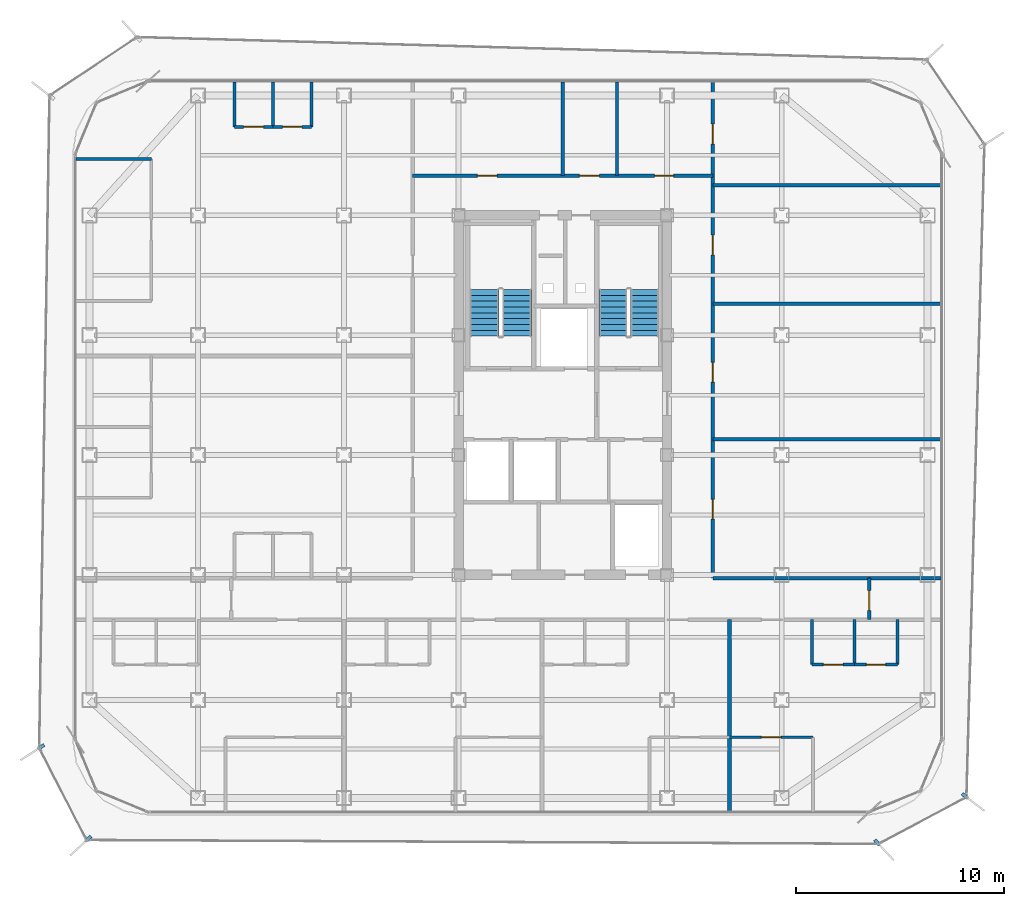
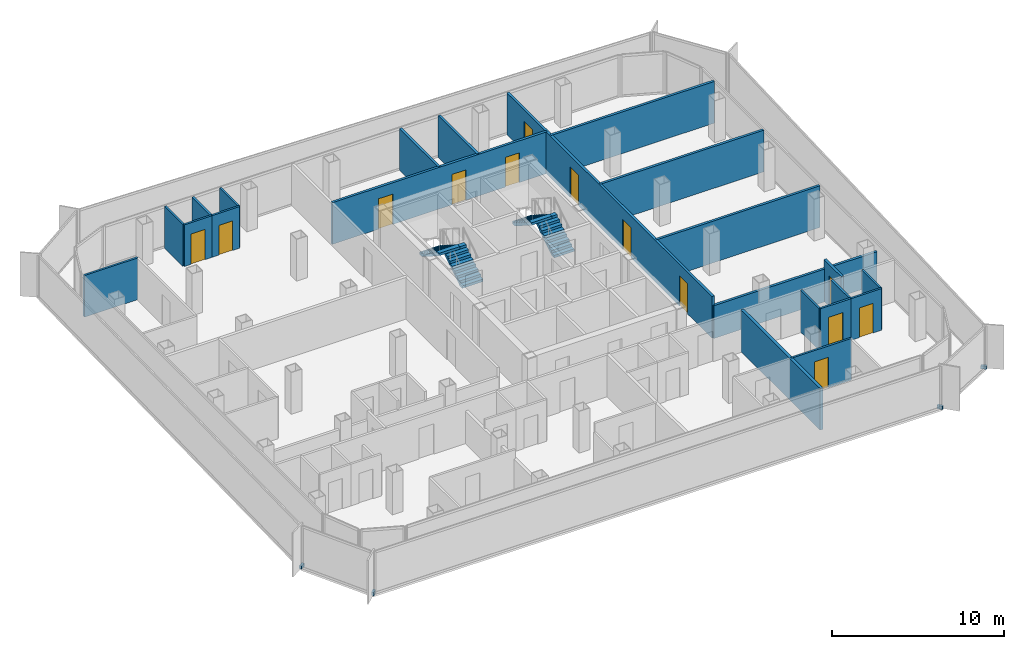
# One storey, part 12 of 16: 23 walls, 13 doors, 4 discrete accessories, 4 stair flights, 13 openings, 2 elements without a shape of their own.
"""IFC4 building model written with IfcOpenShell, lengths in metres."""

from ifc_helpers import new_model, si_unit, direction, frame, frame_2d, origin, origin_2d, place, context, subcontext, project, spatial, polyline, rectangle, outline, extrude, source, transform, mapped, material, layer, layer_set, type_object, element, fill, aggregate, save


model = new_model("IFC4")

# Units and contexts
model_context = context("Model", 3, precision=1e-05, world=origin(), true_north=direction((0.0, 1.0)))
body_context = subcontext(model_context, "Body", "Model", "MODEL_VIEW")
ifc_project = project(units=[si_unit("LENGTHUNIT", "METRE"), si_unit("AREAUNIT", "SQUARE_METRE"), si_unit("VOLUMEUNIT", "CUBIC_METRE"), si_unit("PLANEANGLEUNIT", "RADIAN"), si_unit("MASSUNIT", "GRAM", prefix="KILO")], contexts=[model_context])

# Site, building, storey
site_placement = place(None, origin())
site = spatial("IfcSite", under=ifc_project, at=site_placement, CompositionType="ELEMENT")
building_placement = place(site_placement, origin())
building = spatial("IfcBuilding", under=site, at=building_placement, Name="Kolveth Station Tower", CompositionType="ELEMENT")
storey_placement = place(building_placement, frame((0.0, 0.0, 209.199951171875)))
storey = spatial("IfcBuildingStorey", under=building, at=storey_placement, Name="L59", CompositionType="ELEMENT", Elevation=209.199951171875)

# Wall, opening, door
ifc_material_1 = material(Name="Moisture-resistant gypsum partition")
ifc_layer_1 = layer(ifc_material_1, 0.135009765625)
ifc_layer_set_1 = layer_set([ifc_layer_1], Name="Moisture-resistant gypsum partition")
wall_type_1 = type_object("IfcWallType", Name="Wall_IW-135", PredefinedType="PARTITIONING", material=ifc_layer_set_1)
wall_1_placement = place(storey_placement, frame((35.449951171875, 7.199951171875, 0.0), z_axis=(0.0, 0.0, 1.0), x_axis=(1.0, 0.0, 0.0)))
wall_1 = element("IfcWall", 1, at=wall_1_placement, inside=storey, type_object=wall_type_1, Name="L59 Partition Wall WL-L59-A4-IBHK", PredefinedType="PARTITIONING", context=body_context, shape_type="SweptSolid", body=[
    extrude(rectangle(XDim=2.050048828125, YDim=0.135009765625, at=frame_2d((1.02490234375, 0.0))), origin(), (0.0, 0.0, 1.0), 2.949951171875),
])
opening_1_placement = place(wall_1_placement, frame((0.544921875, 0.0, 0.0)))
opening_1 = element("IfcOpeningElement", 2, at=opening_1_placement, cuts=wall_1, Name="Opening ID1", PredefinedType="OPENING", context=body_context, shape_type="SweptSolid", body=[
    extrude(rectangle(XDim=0.949951171875, YDim=2.14990234375, at=frame_2d((0.47509765625, 1.074951171875))), frame((0.0, 0.077392578125, 0.0), z_axis=(0.0, -1.0, 0.0), x_axis=(1.0, 0.0, 0.0)), (0.0, 0.0, 1.0), 0.155029296875),
])
ifc_material_2 = material(Name="Acoustic hardwood leaf and aluminium frame", Category="wood")
door_type_1 = type_object("IfcDoorType", Name="Door_ID1", OperationType="NOTDEFINED", PredefinedType="DOOR", material=ifc_material_2)
door_1_placement = place(opening_1_placement, origin())
door_1 = element("IfcDoor", 3, at=door_1_placement, inside=storey, type_object=door_type_1, Name="Flat L59-A4 Kitchen Door", OperationType="SINGLE_SWING_RIGHT", OverallHeight=2.14990234375, OverallWidth=0.949951171875, PredefinedType="DOOR", context=body_context, shape_type="SweptSolid", body=[
    extrude(rectangle(XDim=0.949951171875, YDim=2.14990234375, at=frame_2d((0.47509765625, 1.074951171875))), frame((0.0, 0.02490234375, 0.0), z_axis=(0.0, -1.0, 0.0), x_axis=(1.0, 0.0, 0.0)), (0.0, 0.0, 1.0), 0.050048828125),
])
fill(opening_1, door_1)

wall_2_placement = place(storey_placement, frame((37.5, 7.199951171875, 0.0), z_axis=(0.0, 0.0, 1.0), x_axis=(1.0, 0.0, 0.0)))
wall_2 = element("IfcWall", 4, at=wall_2_placement, inside=storey, type_object=wall_type_1, Name="L59 Partition Wall WL-L59-A4-IBHB", PredefinedType="PARTITIONING", context=body_context, shape_type="SweptSolid", body=[
    extrude(rectangle(XDim=2.050048828125, YDim=0.135009765625, at=frame_2d((1.02490234375, 0.0))), origin(), (0.0, 0.0, 1.0), 2.949951171875),
])
opening_2_placement = place(wall_2_placement, frame((0.56494140625, 0.0, 0.0)))
opening_2 = element("IfcOpeningElement", 5, at=opening_2_placement, cuts=wall_2, Name="Opening ID2", PredefinedType="OPENING", context=body_context, shape_type="SweptSolid", body=[
    extrude(rectangle(XDim=0.919921875, YDim=2.10009765625, at=frame_2d((0.4599609375, 1.050048828125))), frame((0.0, 0.077392578125, 0.0), z_axis=(0.0, -1.0, 0.0), x_axis=(1.0, 0.0, 0.0)), (0.0, 0.0, 1.0), 0.155029296875),
])
ifc_material_3 = material(Name="Moisture-resistant hardwood leaf", Category="wood")
door_type_2 = type_object("IfcDoorType", Name="Door_ID2", OperationType="NOTDEFINED", PredefinedType="DOOR", material=ifc_material_3)
door_2_placement = place(opening_2_placement, origin())
door_2 = element("IfcDoor", 6, at=door_2_placement, inside=storey, type_object=door_type_2, Name="Flat L59-A4 Bathroom Door", OperationType="SINGLE_SWING_LEFT", OverallHeight=2.10009765625, OverallWidth=0.919921875, PredefinedType="DOOR", context=body_context, shape_type="SweptSolid", body=[
    extrude(rectangle(XDim=0.919921875, YDim=2.10009765625, at=frame_2d((0.4599609375, 1.050048828125))), frame((0.0, 0.02490234375, 0.0), z_axis=(0.0, -1.0, 0.0), x_axis=(1.0, 0.0, 0.0)), (0.0, 0.0, 1.0), 0.050048828125),
])
fill(opening_2, door_2)

# Walls
for number, where, z_axis, x_axis, name in (
    (7, (35.449951171875, 7.199951171875, 0.0), (0.0, 0.0, 1.0), (0.0, 1.0, 0.0), "L59 Partition Wall WL-L59-A4-IBV0"),
    (8, (37.5, 7.199951171875, 0.0), (0.0, 0.0, 1.0), (0.0, 1.0, 0.0), "L59 Partition Wall WL-L59-A4-IBV1"),
    (9, (39.550048828125, 7.199951171875, 0.0), (0.0, 0.0, 1.0), (0.0, 1.0, 0.0), "L59 Partition Wall WL-L59-A4-IBV2"),
):
    element("IfcWall", number, at=place(storey_placement, frame(where, z_axis=z_axis, x_axis=x_axis)), inside=storey, type_object=wall_type_1, Name=name, PredefinedType="PARTITIONING", context=body_context, shape_type="SweptSolid", body=[
        extrude(rectangle(XDim=2.150146484375, YDim=0.135009765625, at=frame_2d((1.0751953125, 0.0))), origin(), (0.0, 0.0, 1.0), 2.949951171875),
    ])

# Wall, opening, door
wall_3_placement = place(storey_placement, frame((31.5, 3.7099609375, 0.0), z_axis=(0.0, 0.0, 1.0), x_axis=(1.0, 0.0, 0.0)))
wall_3 = element("IfcWall", 10, at=wall_3_placement, inside=storey, type_object=wall_type_1, Name="L59 Partition Wall WL-L59-A4-BDH1", PredefinedType="PARTITIONING", context=body_context, shape_type="SweptSolid", body=[
    extrude(rectangle(XDim=3.9990234375, YDim=0.135009765625, at=frame_2d((1.99951171875, 0.0))), origin(), (0.0, 0.0, 1.0), 2.949951171875),
])
opening_3_placement = place(wall_3_placement, frame((1.52001953125, 0.0, 0.0)))
opening_3 = element("IfcOpeningElement", 11, at=opening_3_placement, cuts=wall_3, Name="Opening ID1", PredefinedType="OPENING", context=body_context, shape_type="SweptSolid", body=[
    extrude(rectangle(XDim=0.949951171875, YDim=2.14990234375, at=frame_2d((0.47509765625, 1.074951171875))), frame((0.0, 0.077392578125, 0.0), z_axis=(0.0, -1.0, 0.0), x_axis=(1.0, 0.0, 0.0)), (0.0, 0.0, 1.0), 0.155029296875),
])
door_3_placement = place(opening_3_placement, frame((0.949951171875, 0.0, 0.0), z_axis=(0.0, 0.0, 1.0), x_axis=(-1.0, 0.0, 0.0)))
door_3 = element("IfcDoor", 12, at=door_3_placement, inside=storey, type_object=door_type_1, Name="Flat L59-A4 Bedroom 1 Door", OperationType="SINGLE_SWING_RIGHT", OverallHeight=2.14990234375, OverallWidth=0.949951171875, PredefinedType="DOOR", context=body_context, shape_type="SweptSolid", body=[
    extrude(rectangle(XDim=0.949951171875, YDim=2.14990234375, at=frame_2d((0.47509765625, 1.074951171875))), frame((0.0, 0.02490234375, 0.0), z_axis=(0.0, -1.0, 0.0), x_axis=(1.0, 0.0, 0.0)), (0.0, 0.0, 1.0), 0.050048828125),
])
fill(opening_3, door_3)

wall_4_placement = place(storey_placement, frame((7.75, 32.989990234375, 0.0), z_axis=(0.0, 0.0, 1.0), x_axis=(1.0, 0.0, 0.0)))
wall_4 = element("IfcWall", 13, at=wall_4_placement, inside=storey, type_object=wall_type_1, Name="L59 Partition Wall WL-L59-W2-IBHK", PredefinedType="PARTITIONING", context=body_context, shape_type="SweptSolid", body=[
    extrude(rectangle(XDim=1.85009765625, YDim=0.135009765625, at=frame_2d((0.925048828125, 0.0))), origin(), (0.0, 0.0, 1.0), 2.949951171875),
])
opening_4_placement = place(wall_4_placement, frame((0.445068359375, 0.0, 0.0)))
opening_4 = element("IfcOpeningElement", 14, at=opening_4_placement, cuts=wall_4, Name="Opening ID1", PredefinedType="OPENING", context=body_context, shape_type="SweptSolid", body=[
    extrude(rectangle(XDim=0.949951171875, YDim=2.14990234375, at=frame_2d((0.47509765625, 1.074951171875))), frame((0.0, 0.077392578125, 0.0), z_axis=(0.0, -1.0, 0.0), x_axis=(1.0, 0.0, 0.0)), (0.0, 0.0, 1.0), 0.155029296875),
])
door_4_placement = place(opening_4_placement, frame((0.949951171875, 0.0, 0.0), z_axis=(0.0, 0.0, 1.0), x_axis=(-1.0, 0.0, 0.0)))
door_4 = element("IfcDoor", 15, at=door_4_placement, inside=storey, type_object=door_type_1, Name="Penthouse Flat L59-W2 Kitchen Door", OperationType="SINGLE_SWING_LEFT", OverallHeight=2.14990234375, OverallWidth=0.949951171875, PredefinedType="DOOR", context=body_context, shape_type="SweptSolid", body=[
    extrude(rectangle(XDim=0.949951171875, YDim=2.14990234375, at=frame_2d((0.47509765625, 1.074951171875))), frame((0.0, 0.02490234375, 0.0), z_axis=(0.0, -1.0, 0.0), x_axis=(1.0, 0.0, 0.0)), (0.0, 0.0, 1.0), 0.050048828125),
])
fill(opening_4, door_4)

wall_5_placement = place(storey_placement, frame((9.60009765625, 32.989990234375, 0.0), z_axis=(0.0, 0.0, 1.0), x_axis=(1.0, 0.0, 0.0)))
wall_5 = element("IfcWall", 16, at=wall_5_placement, inside=storey, type_object=wall_type_1, Name="L59 Partition Wall WL-L59-W2-IBHB", PredefinedType="PARTITIONING", context=body_context, shape_type="SweptSolid", body=[
    extrude(rectangle(XDim=1.849853515625, YDim=0.135009765625, at=frame_2d((0.9248046875, 0.0))), origin(), (0.0, 0.0, 1.0), 2.949951171875),
])
opening_5_placement = place(wall_5_placement, frame((0.465087890625, 0.0, 0.0)))
opening_5 = element("IfcOpeningElement", 17, at=opening_5_placement, cuts=wall_5, Name="Opening ID2", PredefinedType="OPENING", context=body_context, shape_type="SweptSolid", body=[
    extrude(rectangle(XDim=0.919921875, YDim=2.10009765625, at=frame_2d((0.4599609375, 1.050048828125))), frame((0.0, 0.077392578125, 0.0), z_axis=(0.0, -1.0, 0.0), x_axis=(1.0, 0.0, 0.0)), (0.0, 0.0, 1.0), 0.155029296875),
])
door_5_placement = place(opening_5_placement, frame((0.919921875, 0.0, 0.0), z_axis=(0.0, 0.0, 1.0), x_axis=(-1.0, 0.0, 0.0)))
door_5 = element("IfcDoor", 18, at=door_5_placement, inside=storey, type_object=door_type_2, Name="Penthouse Flat L59-W2 Bathroom Door", OperationType="SINGLE_SWING_RIGHT", OverallHeight=2.10009765625, OverallWidth=0.919921875, PredefinedType="DOOR", context=body_context, shape_type="SweptSolid", body=[
    extrude(rectangle(XDim=0.919921875, YDim=2.10009765625, at=frame_2d((0.4599609375, 1.050048828125))), frame((0.0, 0.02490234375, 0.0), z_axis=(0.0, -1.0, 0.0), x_axis=(1.0, 0.0, 0.0)), (0.0, 0.0, 1.0), 0.050048828125),
])
fill(opening_5, door_5)

# Walls
for number, where, z_axis, x_axis, name in (
    (19, (7.75, 32.989990234375, 0.0), (0.0, 0.0, 1.0), (0.0, 1.0, 0.0), "L59 Partition Wall WL-L59-W2-IBV0"),
    (20, (9.60009765625, 32.989990234375, 0.0), (0.0, 0.0, 1.0), (0.0, 1.0, 0.0), "L59 Partition Wall WL-L59-W2-IBV1"),
    (21, (11.449951171875, 32.989990234375, 0.0), (0.0, 0.0, 1.0), (0.0, 1.0, 0.0), "L59 Partition Wall WL-L59-W2-IBV2"),
):
    element("IfcWall", number, at=place(storey_placement, frame(where, z_axis=z_axis, x_axis=x_axis)), inside=storey, type_object=wall_type_1, Name=name, PredefinedType="PARTITIONING", context=body_context, shape_type="SweptSolid", body=[
        extrude(rectangle(XDim=2.14990234375, YDim=0.135009765625, at=frame_2d((1.074951171875, 0.0))), origin(), (0.0, 0.0, 1.0), 2.949951171875),
    ])
wall_6_placement = place(storey_placement, frame((0.159912109375, 31.449951171875, 0.0), z_axis=(0.0, 0.0, 1.0), x_axis=(1.0, 0.0, 0.0)))
element("IfcWall", 22, at=wall_6_placement, inside=storey, type_object=wall_type_1, Name="L59 Partition Wall WL-L59-W2-BDHE", PredefinedType="PARTITIONING", context=body_context, shape_type="SweptSolid", body=[
    extrude(rectangle(XDim=3.60009765625, YDim=0.135009765625, at=frame_2d((1.800048828125, 0.0))), origin(), (0.0, 0.0, 1.0), 2.949951171875),
])
ifc_material_4 = material(Name="Acoustic double-stud gypsum partition")
ifc_layer_2 = layer(ifc_material_4, 0.1650390625)
ifc_layer_set_2 = layer_set([ifc_layer_2], Name="Acoustic double-stud gypsum partition")
wall_type_2 = type_object("IfcWallType", Name="Wall_IW-165", PredefinedType="PARTITIONING", material=ifc_layer_set_2)
wall_7_placement = place(storey_placement, frame((30.699951171875, 11.35009765625, 0.0), z_axis=(0.0, 0.0, 1.0), x_axis=(1.0, 0.0, 0.0)))
element("IfcWall", 23, at=wall_7_placement, inside=storey, type_object=wall_type_2, Name="L59 Partition Wall WL-L59-RSET", PredefinedType="PARTITIONING", context=body_context, shape_type="SweptSolid", body=[
    extrude(rectangle(XDim=7.5, YDim=0.1650390625, at=frame_2d((3.75, 0.0))), origin(), (0.0, 0.0, 1.0), 2.322998046875),
])

# Wall, opening, door
wall_8_placement = place(storey_placement, frame((38.199951171875, 9.35009765625, 0.0), z_axis=(0.0, 0.0, 1.0), x_axis=(0.0, 1.0, 0.0)))
wall_8 = element("IfcWall", 24, at=wall_8_placement, inside=storey, type_object=wall_type_2, Name="L59 Partition Wall WL-L59-RSEE", PredefinedType="PARTITIONING", context=body_context, shape_type="SweptSolid", body=[
    extrude(rectangle(XDim=2.0, YDim=0.1650390625, at=frame_2d((1.0, 0.0))), origin(), (0.0, 0.0, 1.0), 2.949951171875),
])
opening_6_placement = place(wall_8_placement, frame((0.449951171875, 0.0, 0.0)))
opening_6 = element("IfcOpeningElement", 25, at=opening_6_placement, cuts=wall_8, Name="Opening ID1", PredefinedType="OPENING", context=body_context, shape_type="SweptSolid", body=[
    extrude(rectangle(XDim=0.949951171875, YDim=2.14990234375, at=frame_2d((0.47509765625, 1.074951171875))), frame((0.0, 0.092529296875, 0.0), z_axis=(0.0, -1.0, 0.0), x_axis=(1.0, 0.0, 0.0)), (0.0, 0.0, 1.0), 0.18505859375),
])
door_6_placement = place(opening_6_placement, origin())
door_6 = element("IfcDoor", 26, at=door_6_placement, inside=storey, type_object=door_type_1, Name="L59 Hobby Study Door", OperationType="SINGLE_SWING_LEFT", OverallHeight=2.14990234375, OverallWidth=0.949951171875, PredefinedType="DOOR", context=body_context, shape_type="SweptSolid", body=[
    extrude(rectangle(XDim=0.949951171875, YDim=2.14990234375, at=frame_2d((0.47509765625, 1.074951171875))), frame((0.0, 0.02490234375, 0.0), z_axis=(0.0, -1.0, 0.0), x_axis=(1.0, 0.0, 0.0)), (0.0, 0.0, 1.0), 0.050048828125),
])
fill(opening_6, door_6)

# Wall, openings, doors
wall_9_placement = place(storey_placement, frame((16.300048828125, 30.64990234375, 0.0), z_axis=(0.0, 0.0, 1.0), x_axis=(1.0, 0.0, 0.0)))
wall_9 = element("IfcWall", 27, at=wall_9_placement, inside=storey, type_object=wall_type_2, Name="L59 Partition Wall WL-L59-RN", PredefinedType="PARTITIONING", context=body_context, shape_type="SweptSolid", body=[
    extrude(rectangle(XDim=14.39990234375, YDim=0.1650390625, at=frame_2d((7.199951171875, 0.0))), origin(), (0.0, 0.0, 1.0), 2.949951171875),
])
opening_7_placement = place(wall_9_placement, frame((3.10009765625, 0.0, 0.0)))
opening_7 = element("IfcOpeningElement", 28, at=opening_7_placement, cuts=wall_9, Name="Opening ID1", PredefinedType="OPENING", context=body_context, shape_type="SweptSolid", body=[
    extrude(rectangle(XDim=0.949951171875, YDim=2.14990234375, at=frame_2d((0.47509765625, 1.074951171875))), frame((0.0, 0.092529296875, 0.0), z_axis=(0.0, -1.0, 0.0), x_axis=(1.0, 0.0, 0.0)), (0.0, 0.0, 1.0), 0.18505859375),
])
opening_8_placement = place(wall_9_placement, frame((8.0, 0.0, 0.0)))
opening_8 = element("IfcOpeningElement", 29, at=opening_8_placement, cuts=wall_9, Name="Opening ID1", PredefinedType="OPENING", context=body_context, shape_type="SweptSolid", body=[
    extrude(rectangle(XDim=0.949951171875, YDim=2.14990234375, at=frame_2d((0.47509765625, 1.074951171875))), frame((0.0, 0.092529296875, 0.0), z_axis=(0.0, -1.0, 0.0), x_axis=(1.0, 0.0, 0.0)), (0.0, 0.0, 1.0), 0.18505859375),
])
opening_9_placement = place(wall_9_placement, frame((11.60009765625, 0.0, 0.0)))
opening_9 = element("IfcOpeningElement", 30, at=opening_9_placement, cuts=wall_9, Name="Opening ID2", PredefinedType="OPENING", context=body_context, shape_type="SweptSolid", body=[
    extrude(rectangle(XDim=0.919921875, YDim=2.10009765625, at=frame_2d((0.4599609375, 1.050048828125))), frame((0.0, 0.092529296875, 0.0), z_axis=(0.0, -1.0, 0.0), x_axis=(1.0, 0.0, 0.0)), (0.0, 0.0, 1.0), 0.18505859375),
])
door_7_placement = place(opening_7_placement, origin())
door_7 = element("IfcDoor", 31, at=door_7_placement, inside=storey, type_object=door_type_1, Name="L59 Residents' Sky Lounge Door", OperationType="SINGLE_SWING_LEFT", OverallHeight=2.14990234375, OverallWidth=0.949951171875, PredefinedType="DOOR", context=body_context, shape_type="SweptSolid", body=[
    extrude(rectangle(XDim=0.949951171875, YDim=2.14990234375, at=frame_2d((0.47509765625, 1.074951171875))), frame((0.0, 0.02490234375, 0.0), z_axis=(0.0, -1.0, 0.0), x_axis=(1.0, 0.0, 0.0)), (0.0, 0.0, 1.0), 0.050048828125),
])
fill(opening_7, door_7)
door_8_placement = place(opening_8_placement, origin())
door_8 = element("IfcDoor", 32, at=door_8_placement, inside=storey, type_object=door_type_1, Name="L59 Residents' Committee Room Door", OperationType="SINGLE_SWING_RIGHT", OverallHeight=2.14990234375, OverallWidth=0.949951171875, PredefinedType="DOOR", context=body_context, shape_type="SweptSolid", body=[
    extrude(rectangle(XDim=0.949951171875, YDim=2.14990234375, at=frame_2d((0.47509765625, 1.074951171875))), frame((0.0, 0.02490234375, 0.0), z_axis=(0.0, -1.0, 0.0), x_axis=(1.0, 0.0, 0.0)), (0.0, 0.0, 1.0), 0.050048828125),
])
fill(opening_8, door_8)
door_9_placement = place(opening_9_placement, origin())
door_9 = element("IfcDoor", 33, at=door_9_placement, inside=storey, type_object=door_type_2, Name="L59 Accessible Residents' WC Door", OperationType="SINGLE_SWING_LEFT", OverallHeight=2.10009765625, OverallWidth=0.919921875, PredefinedType="DOOR", context=body_context, shape_type="SweptSolid", body=[
    extrude(rectangle(XDim=0.919921875, YDim=2.10009765625, at=frame_2d((0.4599609375, 1.050048828125))), frame((0.0, 0.02490234375, 0.0), z_axis=(0.0, -1.0, 0.0), x_axis=(1.0, 0.0, 0.0)), (0.0, 0.0, 1.0), 0.050048828125),
])
fill(opening_9, door_9)

wall_10_placement = place(storey_placement, frame((30.699951171875, 11.35009765625, 0.0), z_axis=(0.0, 0.0, 1.0), x_axis=(0.0, 1.0, 0.0)))
wall_10 = element("IfcWall", 34, at=wall_10_placement, inside=storey, type_object=wall_type_2, Name="L59 Partition Wall WL-L59-RE", PredefinedType="PARTITIONING", context=body_context, shape_type="SweptSolid", body=[
    extrude(rectangle(XDim=23.789794921875, YDim=0.1650390625, at=frame_2d((11.89501953125, 0.0))), origin(), (0.0, 0.0, 1.0), 2.949951171875),
])
opening_10_placement = place(wall_10_placement, frame((2.824951171875, 0.0, 0.0)))
opening_10 = element("IfcOpeningElement", 35, at=opening_10_placement, cuts=wall_10, Name="Opening ID1", PredefinedType="OPENING", context=body_context, shape_type="SweptSolid", body=[
    extrude(rectangle(XDim=0.949951171875, YDim=2.14990234375, at=frame_2d((0.47509765625, 1.074951171875))), frame((0.0, 0.092529296875, 0.0), z_axis=(0.0, -1.0, 0.0), x_axis=(1.0, 0.0, 0.0)), (0.0, 0.0, 1.0), 0.18505859375),
])
opening_11_placement = place(wall_10_placement, frame((9.39990234375, 0.0, 0.0)))
opening_11 = element("IfcOpeningElement", 36, at=opening_11_placement, cuts=wall_10, Name="Opening ID1", PredefinedType="OPENING", context=body_context, shape_type="SweptSolid", body=[
    extrude(rectangle(XDim=0.949951171875, YDim=2.14990234375, at=frame_2d((0.47509765625, 1.074951171875))), frame((0.0, 0.092529296875, 0.0), z_axis=(0.0, -1.0, 0.0), x_axis=(1.0, 0.0, 0.0)), (0.0, 0.0, 1.0), 0.18505859375),
])
opening_12_placement = place(wall_10_placement, frame((15.5, 0.0, 0.0)))
opening_12 = element("IfcOpeningElement", 37, at=opening_12_placement, cuts=wall_10, Name="Opening ID1", PredefinedType="OPENING", context=body_context, shape_type="SweptSolid", body=[
    extrude(rectangle(XDim=0.949951171875, YDim=2.14990234375, at=frame_2d((0.47509765625, 1.074951171875))), frame((0.0, 0.092529296875, 0.0), z_axis=(0.0, -1.0, 0.0), x_axis=(1.0, 0.0, 0.0)), (0.0, 0.0, 1.0), 0.18505859375),
])
opening_13_placement = place(wall_10_placement, frame((20.820068359375, 0.0, 0.0)))
opening_13 = element("IfcOpeningElement", 38, at=opening_13_placement, cuts=wall_10, Name="Opening ID1", PredefinedType="OPENING", context=body_context, shape_type="SweptSolid", body=[
    extrude(rectangle(XDim=0.949951171875, YDim=2.14990234375, at=frame_2d((0.47509765625, 1.074951171875))), frame((0.0, 0.092529296875, 0.0), z_axis=(0.0, -1.0, 0.0), x_axis=(1.0, 0.0, 0.0)), (0.0, 0.0, 1.0), 0.18505859375),
])
door_10_placement = place(opening_10_placement, origin())
door_10 = element("IfcDoor", 39, at=door_10_placement, inside=storey, type_object=door_type_1, Name="L59 Quiet Reading Study E1 Door", OperationType="SINGLE_SWING_LEFT", OverallHeight=2.14990234375, OverallWidth=0.949951171875, PredefinedType="DOOR", context=body_context, shape_type="SweptSolid", body=[
    extrude(rectangle(XDim=0.949951171875, YDim=2.14990234375, at=frame_2d((0.47509765625, 1.074951171875))), frame((0.0, 0.02490234375, 0.0), z_axis=(0.0, -1.0, 0.0), x_axis=(1.0, 0.0, 0.0)), (0.0, 0.0, 1.0), 0.050048828125),
])
fill(opening_10, door_10)
door_11_placement = place(opening_11_placement, origin())
door_11 = element("IfcDoor", 40, at=door_11_placement, inside=storey, type_object=door_type_1, Name="L59 Quiet Reading Study E2 Door", OperationType="SINGLE_SWING_RIGHT", OverallHeight=2.14990234375, OverallWidth=0.949951171875, PredefinedType="DOOR", context=body_context, shape_type="SweptSolid", body=[
    extrude(rectangle(XDim=0.949951171875, YDim=2.14990234375, at=frame_2d((0.47509765625, 1.074951171875))), frame((0.0, 0.02490234375, 0.0), z_axis=(0.0, -1.0, 0.0), x_axis=(1.0, 0.0, 0.0)), (0.0, 0.0, 1.0), 0.050048828125),
])
fill(opening_11, door_11)
door_12_placement = place(opening_12_placement, origin())
door_12 = element("IfcDoor", 41, at=door_12_placement, inside=storey, type_object=door_type_1, Name="L59 Residents' Conference Room Door", OperationType="SINGLE_SWING_LEFT", OverallHeight=2.14990234375, OverallWidth=0.949951171875, PredefinedType="DOOR", context=body_context, shape_type="SweptSolid", body=[
    extrude(rectangle(XDim=0.949951171875, YDim=2.14990234375, at=frame_2d((0.47509765625, 1.074951171875))), frame((0.0, 0.02490234375, 0.0), z_axis=(0.0, -1.0, 0.0), x_axis=(1.0, 0.0, 0.0)), (0.0, 0.0, 1.0), 0.050048828125),
])
fill(opening_12, door_12)
door_13_placement = place(opening_13_placement, origin())
door_13 = element("IfcDoor", 42, at=door_13_placement, inside=storey, type_object=door_type_1, Name="L59 Tea Pantry Door", OperationType="SINGLE_SWING_LEFT", OverallHeight=2.14990234375, OverallWidth=0.949951171875, PredefinedType="DOOR", context=body_context, shape_type="SweptSolid", body=[
    extrude(rectangle(XDim=0.949951171875, YDim=2.14990234375, at=frame_2d((0.47509765625, 1.074951171875))), frame((0.0, 0.02490234375, 0.0), z_axis=(0.0, -1.0, 0.0), x_axis=(1.0, 0.0, 0.0)), (0.0, 0.0, 1.0), 0.050048828125),
])
fill(opening_13, door_13)

# Walls
wall_11_placement = place(storey_placement, frame((38.199951171875, 11.35009765625, 0.0), z_axis=(0.0, 0.0, 1.0), x_axis=(1.0, 0.0, 0.0)))
element("IfcWall", 43, at=wall_11_placement, inside=storey, type_object=wall_type_2, Name="L59 Partition Wall WL-L59-ESTN", PredefinedType="PARTITIONING", context=body_context, shape_type="SweptSolid", body=[
    extrude(rectangle(XDim=3.43994140625, YDim=0.1650390625, at=frame_2d((1.719970703125, 0.0))), origin(), (0.0, 0.0, 1.0), 2.322998046875),
])
for number, where, z_axis, x_axis, name in (
    (44, (30.699951171875, 18.0, 0.0), (0.0, 0.0, 1.0), (1.0, 0.0, 0.0), "L59 Partition Wall WL-L59-REA-P1"),
    (45, (30.699951171875, 24.5, 0.0), (0.0, 0.0, 1.0), (1.0, 0.0, 0.0), "L59 Partition Wall WL-L59-REA-P2"),
    (46, (30.699951171875, 30.199951171875, 0.0), (0.0, 0.0, 1.0), (1.0, 0.0, 0.0), "L59 Partition Wall WL-L59-REA-P3"),
):
    element("IfcWall", number, at=place(storey_placement, frame(where, z_axis=z_axis, x_axis=x_axis)), inside=storey, type_object=wall_type_2, Name=name, PredefinedType="PARTITIONING", context=body_context, shape_type="SweptSolid", body=[
        extrude(rectangle(XDim=10.93994140625, YDim=0.1650390625, at=frame_2d((5.469970703125, 0.0))), origin(), (0.0, 0.0, 1.0), 2.949951171875),
    ])
for number, where, z_axis, x_axis, name in (
    (47, (23.5, 30.64990234375, 0.0), (0.0, 0.0, 1.0), (0.0, 1.0, 0.0), "L59 Partition Wall WL-L59-RN-P1"),
    (48, (26.10009765625, 30.64990234375, 0.0), (0.0, 0.0, 1.0), (0.0, 1.0, 0.0), "L59 Partition Wall WL-L59-RN-P2"),
):
    element("IfcWall", number, at=place(storey_placement, frame(where, z_axis=z_axis, x_axis=x_axis)), inside=storey, type_object=wall_type_2, Name=name, PredefinedType="PARTITIONING", context=body_context, shape_type="SweptSolid", body=[
        extrude(rectangle(XDim=4.489990234375, YDim=0.1650390625, at=frame_2d((2.2451171875, 0.0))), origin(), (0.0, 0.0, 1.0), 2.949951171875),
    ])
ifc_material_5 = material(Name="Acoustic fire-rated gypsum blockwork", Category="masonry")
ifc_layer_3 = layer(ifc_material_5, 0.199951171875)
ifc_layer_set_3 = layer_set([ifc_layer_3], Name="Acoustic fire-rated gypsum blockwork")
wall_type_3 = type_object("IfcWallType", Name="Wall_IW-200", PredefinedType="PARTITIONING", material=ifc_layer_set_3)
wall_12_placement = place(storey_placement, frame((31.5, 0.159912109375, 0.0), z_axis=(0.0, 0.0, 1.0), x_axis=(0.0, 1.0, 0.0)))
element("IfcWall", 49, at=wall_12_placement, inside=storey, type_object=wall_type_3, Name="L59 Partition Wall WL-L59-RSU-3", PredefinedType="PARTITIONING", context=body_context, shape_type="SweptSolid", body=[
    extrude(rectangle(XDim=9.190185546875, YDim=0.199951171875, at=frame_2d((4.59521484375, 0.0))), origin(), (0.0, 0.0, 1.0), 2.949951171875),
])

# Stair, stair flights
ifc_material_6 = material(Name="Concrete C40/50", Category="concrete")
stair_type_1 = type_object("IfcStairType", Name="Stair_ST1", PredefinedType="HALF_TURN_STAIR", material=ifc_material_6)
stair_1_placement = place(storey_placement, origin())
stair_1 = element("IfcStair", 50, at=stair_1_placement, inside=storey, type_object=stair_type_1, Name="L59 Tower Exit Stair ST1", PredefinedType="HALF_TURN_STAIR")
ifc_layer_4 = layer(ifc_material_6, 0.179931640625)
ifc_layer_set_4 = layer_set([ifc_layer_4], Name="Concrete C40/50")
stair_flight_type_1 = type_object("IfcStairFlightType", Name="Flight_ST1", PredefinedType="STRAIGHT", material=ifc_layer_set_4)
stair_flight_1_placement = place(storey_placement, frame((21.300048828125, 22.949951171875, 0.0), z_axis=(0.0, 0.0, 1.0), x_axis=(0.0, 1.0, 0.0)))
stair_flight_1 = element("IfcStairFlight", 51, at=stair_flight_1_placement, type_object=stair_flight_type_1, Name="ST1 flight 1", NumberOfRisers=9, NumberOfTreads=8, PredefinedType="STRAIGHT", RiserHeight=0.177777778, TreadLength=0.28, context=body_context, shape_type="SweptSolid", body=[
    extrude(outline(polyline([(0.0, 0.0), (0.0, 0.177734375), (0.280029296875, 0.177734375), (0.280029296875, 0.35546875), (0.56005859375, 0.35546875), (0.56005859375, 0.533447265625), (0.840087890625, 0.533447265625), (0.840087890625, 0.711181640625), (1.1201171875, 0.711181640625), (1.1201171875, 0.888916015625), (1.39990234375, 0.888916015625), (1.39990234375, 1.066650390625), (1.679931640625, 1.066650390625), (1.679931640625, 1.244384765625), (1.9599609375, 1.244384765625), (1.9599609375, 1.422119140625), (2.239990234375, 1.422119140625), (2.239990234375, 1.60009765625), (2.239990234375, 1.24462890625), (0.27978515625, 0.0), (0.0, 0.0)])), frame((0.0, 0.699951171875, 0.0), z_axis=(0.0, -1.0, 0.0), x_axis=(1.0, 0.0, 0.0)), (0.0, 0.0, 1.0), 1.39990234375),
])
stair_flight_2_placement = place(storey_placement, frame((19.739990234375, 25.18994140625, 1.60009765625), z_axis=(0.0, 0.0, 1.0), x_axis=(0.0, -1.0, 0.0)))
stair_flight_2 = element("IfcStairFlight", 52, at=stair_flight_2_placement, type_object=stair_flight_type_1, Name="ST1 flight 2", NumberOfRisers=9, NumberOfTreads=8, PredefinedType="STRAIGHT", RiserHeight=0.177777778, TreadLength=0.28, context=body_context, shape_type="SweptSolid", body=[
    extrude(outline(polyline([(0.0, 0.0), (0.0, 0.177734375), (0.280029296875, 0.177734375), (0.280029296875, 0.35546875), (0.56005859375, 0.35546875), (0.56005859375, 0.533447265625), (0.840087890625, 0.533447265625), (0.840087890625, 0.711181640625), (1.1201171875, 0.711181640625), (1.1201171875, 0.888916015625), (1.39990234375, 0.888916015625), (1.39990234375, 1.066650390625), (1.679931640625, 1.066650390625), (1.679931640625, 1.244384765625), (1.9599609375, 1.244384765625), (1.9599609375, 1.422119140625), (2.239990234375, 1.422119140625), (2.239990234375, 1.60009765625), (2.239990234375, 1.24462890625), (0.27978515625, 0.0), (0.0, 0.0)])), frame((0.0, 0.699951171875, 0.0), z_axis=(0.0, -1.0, 0.0), x_axis=(1.0, 0.0, 0.0)), (0.0, 0.0, 1.0), 1.39990234375),
])
aggregate(stair_1, [stair_flight_1, stair_flight_2])

stair_type_2 = type_object("IfcStairType", Name="Stair_ST2", PredefinedType="HALF_TURN_STAIR", material=ifc_material_6)
stair_2_placement = place(storey_placement, origin())
stair_2 = element("IfcStair", 53, at=stair_2_placement, inside=storey, type_object=stair_type_2, Name="L59 Tower Exit Stair ST2", PredefinedType="HALF_TURN_STAIR")
ifc_layer_5 = layer(ifc_material_6, 0.179931640625)
ifc_layer_set_5 = layer_set([ifc_layer_5], Name="Concrete C40/50")
stair_flight_type_2 = type_object("IfcStairFlightType", Name="Flight_ST2", PredefinedType="STRAIGHT", material=ifc_layer_set_5)
stair_flight_3_placement = place(storey_placement, frame((27.425048828125, 22.949951171875, 0.0), z_axis=(0.0, 0.0, 1.0), x_axis=(0.0, 1.0, 0.0)))
stair_flight_3 = element("IfcStairFlight", 54, at=stair_flight_3_placement, type_object=stair_flight_type_2, Name="ST2 flight 1", NumberOfRisers=9, NumberOfTreads=8, PredefinedType="STRAIGHT", RiserHeight=0.177777778, TreadLength=0.28, context=body_context, shape_type="SweptSolid", body=[
    extrude(outline(polyline([(0.0, 0.0), (0.0, 0.177734375), (0.280029296875, 0.177734375), (0.280029296875, 0.35546875), (0.56005859375, 0.35546875), (0.56005859375, 0.533447265625), (0.840087890625, 0.533447265625), (0.840087890625, 0.711181640625), (1.1201171875, 0.711181640625), (1.1201171875, 0.888916015625), (1.39990234375, 0.888916015625), (1.39990234375, 1.066650390625), (1.679931640625, 1.066650390625), (1.679931640625, 1.244384765625), (1.9599609375, 1.244384765625), (1.9599609375, 1.422119140625), (2.239990234375, 1.422119140625), (2.239990234375, 1.60009765625), (2.239990234375, 1.24462890625), (0.27978515625, 0.0), (0.0, 0.0)])), frame((0.0, 0.675048828125, 0.0), z_axis=(0.0, -1.0, 0.0), x_axis=(1.0, 0.0, 0.0)), (0.0, 0.0, 1.0), 1.35009765625),
])
stair_flight_4_placement = place(storey_placement, frame((25.9150390625, 25.18994140625, 1.60009765625), z_axis=(0.0, 0.0, 1.0), x_axis=(0.0, -1.0, 0.0)))
stair_flight_4 = element("IfcStairFlight", 55, at=stair_flight_4_placement, type_object=stair_flight_type_2, Name="ST2 flight 2", NumberOfRisers=9, NumberOfTreads=8, PredefinedType="STRAIGHT", RiserHeight=0.177777778, TreadLength=0.28, context=body_context, shape_type="SweptSolid", body=[
    extrude(outline(polyline([(0.0, 0.0), (0.0, 0.177734375), (0.280029296875, 0.177734375), (0.280029296875, 0.35546875), (0.56005859375, 0.35546875), (0.56005859375, 0.533447265625), (0.840087890625, 0.533447265625), (0.840087890625, 0.711181640625), (1.1201171875, 0.711181640625), (1.1201171875, 0.888916015625), (1.39990234375, 0.888916015625), (1.39990234375, 1.066650390625), (1.679931640625, 1.066650390625), (1.679931640625, 1.244384765625), (1.9599609375, 1.244384765625), (1.9599609375, 1.422119140625), (2.239990234375, 1.422119140625), (2.239990234375, 1.60009765625), (2.239990234375, 1.24462890625), (0.27978515625, 0.0), (0.0, 0.0)])), frame((0.0, 0.675048828125, 0.0), z_axis=(0.0, -1.0, 0.0), x_axis=(1.0, 0.0, 0.0)), (0.0, 0.0, 1.0), 1.35009765625),
])
aggregate(stair_2, [stair_flight_3, stair_flight_4])

# Discrete accessories
ifc_material_7 = material(Name="Steel S355", Category="steel")
discrete_accessory_type = type_object("IfcDiscreteAccessoryType", Name="Bracket_BK1", PredefinedType="BRACKET", material=ifc_material_7)
shared_shape = source(origin(), body_context, "Body", "SweptSolid", [
    extrude(rectangle(XDim=0.35009765625, YDim=0.159912109375, at=origin_2d()), origin(), (0.0, 0.0, 1.0), 0.219970703125),
])
for number, where, z_axis, x_axis, name in (
    (56, (38.5810546875, -1.3349609375, -0.06005859375), (0.0, 0.0, 1.0), (0.681487612702, -0.731829648029, 0.0), "L59 Double-Skin Radial Tie Bracket 1"),
    (57, (42.7900390625, 0.89794921875, -0.06005859375), (0.0, 0.0, 1.0), (0.794096490407, -0.607791710969, 0.0), "L59 Double-Skin Radial Tie Bracket 2"),
    (58, (-1.52392578125, 3.2490234375, -0.06005859375), (0.0, 0.0, 1.0), (-0.841416479405, -0.540387183587, 0.0), "L59 Double-Skin Radial Tie Bracket 7"),
    (59, (0.737060546875, -1.154052734375, -0.06005859375), (0.0, 0.0, 1.0), (-0.731353701619, -0.681998360062, 0.0), "L59 Double-Skin Radial Tie Bracket 8"),
):
    element("IfcDiscreteAccessory", number, at=place(storey_placement, frame(where, z_axis=z_axis, x_axis=x_axis)), inside=storey, type_object=discrete_accessory_type, Name=name, PredefinedType="BRACKET", context=body_context, shape_type="MappedRepresentation", body=[
        mapped(shared_shape, transform((0.0, 0.0, 0.0), x_axis=(1.0, 0.0, 0.0), y_axis=(0.0, 1.0, 0.0), z_axis=(0.0, 0.0, 1.0), scale=1.0)),
    ])

save(model, "model.ifc")
